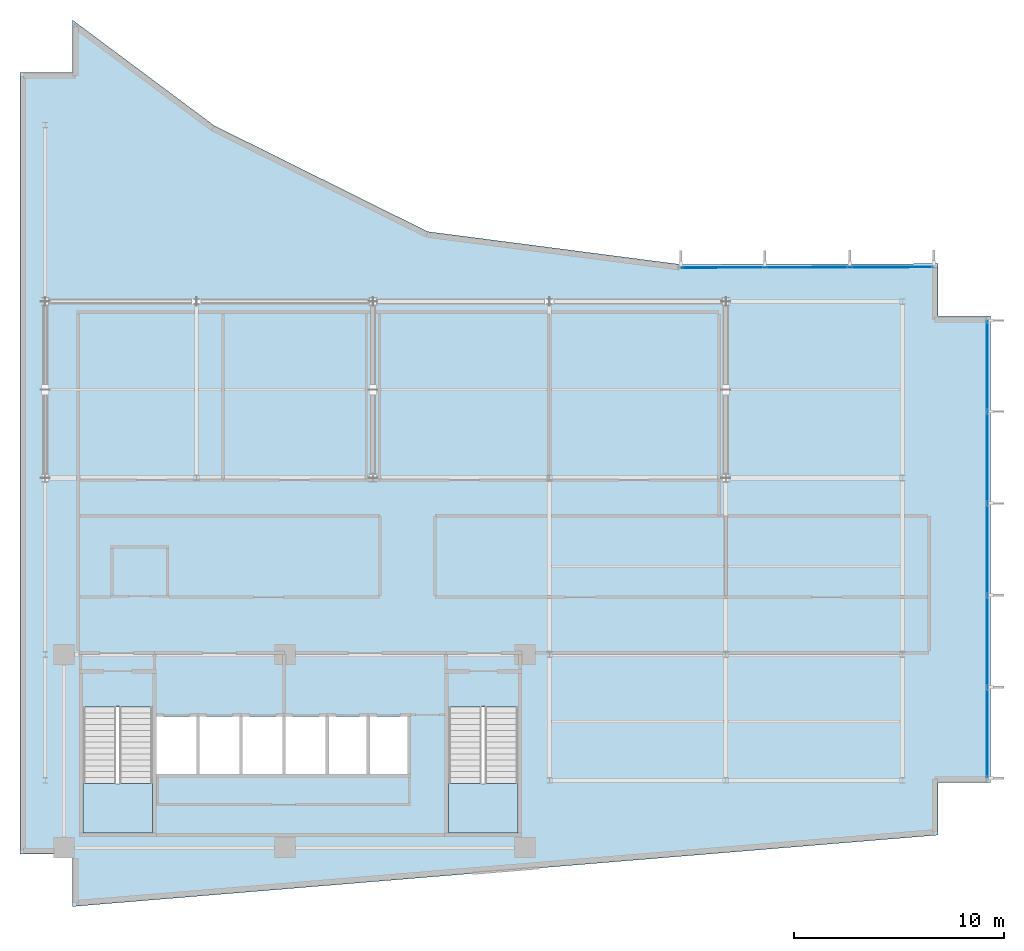
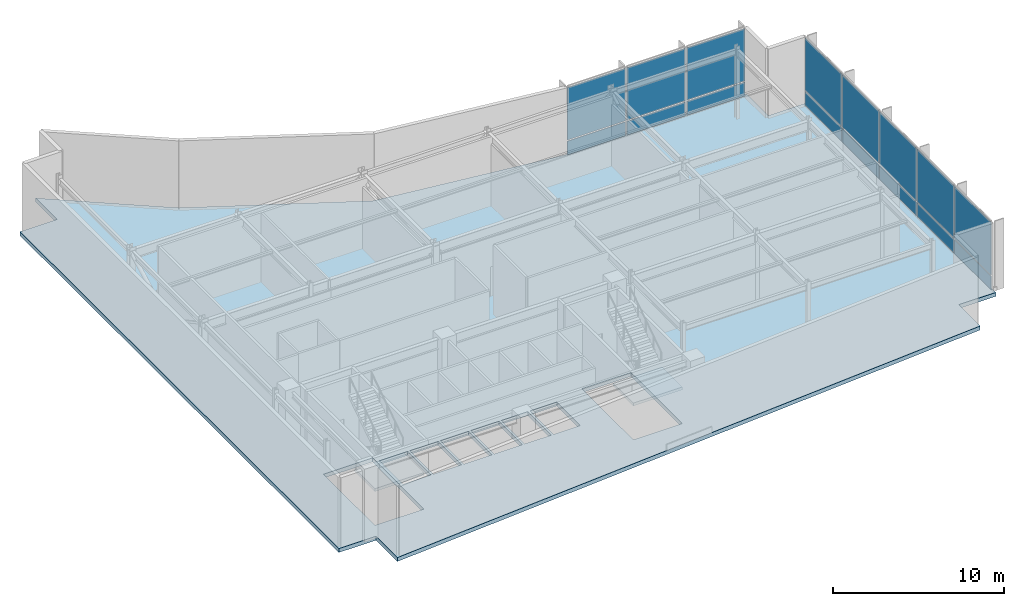
# One storey, part 8 of 15: 16 plates, 3 slabs, 4 elements without a shape of their own.
"""IFC4 building model written with IfcOpenShell, lengths in metres."""

from ifc_helpers import new_model, si_unit, direction, frame, origin, origin_2d, place, context, subcontext, project, spatial, polyline, rectangle, outline, extrude, material, layer, layer_set, type_object, element, aggregate, save


model = new_model("IFC4")

# Units and contexts
model_context = context("Model", 3, precision=1e-05, world=origin(), true_north=direction((0.0, 1.0)))
body_context = subcontext(model_context, "Body", "Model", "MODEL_VIEW")
ifc_project = project(units=[si_unit("LENGTHUNIT", "METRE"), si_unit("AREAUNIT", "SQUARE_METRE"), si_unit("VOLUMEUNIT", "CUBIC_METRE"), si_unit("PLANEANGLEUNIT", "RADIAN"), si_unit("MASSUNIT", "GRAM", prefix="KILO")], contexts=[model_context])

# Site, building, storey
site_placement = place(None, origin())
site = spatial("IfcSite", under=ifc_project, at=site_placement, CompositionType="ELEMENT")
building_placement = place(site_placement, origin())
building = spatial("IfcBuilding", under=site, at=building_placement, Name="Varnakote Quay Hospital", CompositionType="ELEMENT")
storey_placement = place(building_placement, frame((0.0, 0.0, 235.550048828125)))
storey = spatial("IfcBuildingStorey", under=building, at=storey_placement, Name="L58", CompositionType="ELEMENT", Elevation=235.550048828125)

# Curtain wall, plates
ifc_material_1 = material(Name="Anodised aluminium 6063-T6 Bronze", Category="aluminium")
ifc_layer_1 = layer(ifc_material_1, 0.25)
ifc_layer_set_1 = layer_set([ifc_layer_1], Name="Anodised aluminium 6063-T6 Bronze")
curtain_wall_type = type_object("IfcCurtainWallType", Name="CW-SYS-6", PredefinedType="NOTDEFINED", material=ifc_layer_set_1)
curtain_wall_1_placement = place(storey_placement, origin())
curtain_wall_1 = element("IfcCurtainWall", 1, at=curtain_wall_1_placement, inside=storey, type_object=curtain_wall_type, Name="L58 Unitised Bronze Curtain Wall 1", PredefinedType="NOTDEFINED")
ifc_material_2 = material(Name="Insulated bronze spandrel glass", Category="glass")
ifc_layer_2 = layer(ifc_material_2, 0.035888671875)
ifc_layer_set_2 = layer_set([ifc_layer_2], Name="Insulated bronze spandrel glass")
plate_type = type_object("IfcPlateType", Name="CW-PNL-SPN-36", PredefinedType="CURTAIN_PANEL", material=ifc_layer_set_2)
plate_1_placement = place(storey_placement, frame((46.0400390625, 8.269287109375, 0.0849609375), z_axis=(0.0, 0.0, 1.0), x_axis=(0.0, 1.0, 0.0)))
plate_1 = element("IfcPlate", 2, at=plate_1_placement, type_object=plate_type, Name="-6-L58-1 panel 1.1", PredefinedType="CURTAIN_PANEL", context=body_context, shape_type="SweptSolid", body=[
    extrude(rectangle(XDim=4.24853515625, YDim=0.035888671875, at=origin_2d()), origin(), (0.0, 0.0, 1.0), 0.972412109375),
])
plate_2_placement = place(storey_placement, frame((46.0400390625, 8.269287109375, 1.142578125), z_axis=(0.0, 0.0, 1.0), x_axis=(0.0, 1.0, 0.0)))
plate_2 = element("IfcPlate", 3, at=plate_2_placement, type_object=plate_type, Name="-6-L58-1 panel 1.2", PredefinedType="CURTAIN_PANEL", context=body_context, shape_type="SweptSolid", body=[
    extrude(rectangle(XDim=4.24853515625, YDim=0.035888671875, at=origin_2d()), origin(), (0.0, 0.0, 1.0), 3.732421875),
])
plate_3_placement = place(storey_placement, frame((46.0400390625, 12.6240234375, 0.0849609375), z_axis=(0.0, 0.0, 1.0), x_axis=(0.0, 1.0, 0.0)))
plate_3 = element("IfcPlate", 4, at=plate_3_placement, type_object=plate_type, Name="-6-L58-1 panel 2.1", PredefinedType="CURTAIN_PANEL", context=body_context, shape_type="SweptSolid", body=[
    extrude(rectangle(XDim=4.291015625, YDim=0.035888671875, at=origin_2d()), origin(), (0.0, 0.0, 1.0), 0.972412109375),
])
plate_4_placement = place(storey_placement, frame((46.0400390625, 12.6240234375, 1.142578125), z_axis=(0.0, 0.0, 1.0), x_axis=(0.0, 1.0, 0.0)))
plate_4 = element("IfcPlate", 5, at=plate_4_placement, type_object=plate_type, Name="-6-L58-1 panel 2.2", PredefinedType="CURTAIN_PANEL", context=body_context, shape_type="SweptSolid", body=[
    extrude(rectangle(XDim=4.291015625, YDim=0.035888671875, at=origin_2d()), origin(), (0.0, 0.0, 1.0), 3.732421875),
])
plate_5_placement = place(storey_placement, frame((46.0400390625, 17.0, 0.0849609375), z_axis=(0.0, 0.0, 1.0), x_axis=(0.0, 1.0, 0.0)))
plate_5 = element("IfcPlate", 6, at=plate_5_placement, type_object=plate_type, Name="-6-L58-1 panel 3.1", PredefinedType="CURTAIN_PANEL", context=body_context, shape_type="SweptSolid", body=[
    extrude(rectangle(XDim=4.291015625, YDim=0.035888671875, at=origin_2d()), origin(), (0.0, 0.0, 1.0), 0.972412109375),
])
plate_6_placement = place(storey_placement, frame((46.0400390625, 17.0, 1.142578125), z_axis=(0.0, 0.0, 1.0), x_axis=(0.0, 1.0, 0.0)))
plate_6 = element("IfcPlate", 7, at=plate_6_placement, type_object=plate_type, Name="-6-L58-1 panel 3.2", PredefinedType="CURTAIN_PANEL", context=body_context, shape_type="SweptSolid", body=[
    extrude(rectangle(XDim=4.291015625, YDim=0.035888671875, at=origin_2d()), origin(), (0.0, 0.0, 1.0), 3.732421875),
])
plate_7_placement = place(storey_placement, frame((46.0400390625, 21.3759765625, 0.0849609375), z_axis=(0.0, 0.0, 1.0), x_axis=(0.0, 1.0, 0.0)))
plate_7 = element("IfcPlate", 8, at=plate_7_placement, type_object=plate_type, Name="-6-L58-1 panel 4.1", PredefinedType="CURTAIN_PANEL", context=body_context, shape_type="SweptSolid", body=[
    extrude(rectangle(XDim=4.291015625, YDim=0.035888671875, at=origin_2d()), origin(), (0.0, 0.0, 1.0), 0.972412109375),
])
plate_8_placement = place(storey_placement, frame((46.0400390625, 21.3759765625, 1.142578125), z_axis=(0.0, 0.0, 1.0), x_axis=(0.0, 1.0, 0.0)))
plate_8 = element("IfcPlate", 9, at=plate_8_placement, type_object=plate_type, Name="-6-L58-1 panel 4.2", PredefinedType="CURTAIN_PANEL", context=body_context, shape_type="SweptSolid", body=[
    extrude(rectangle(XDim=4.291015625, YDim=0.035888671875, at=origin_2d()), origin(), (0.0, 0.0, 1.0), 3.732421875),
])
plate_9_placement = place(storey_placement, frame((46.0400390625, 25.730712890625, 0.0849609375), z_axis=(0.0, 0.0, 1.0), x_axis=(0.0, 1.0, 0.0)))
plate_9 = element("IfcPlate", 10, at=plate_9_placement, type_object=plate_type, Name="-6-L58-1 panel 5.1", PredefinedType="CURTAIN_PANEL", context=body_context, shape_type="SweptSolid", body=[
    extrude(rectangle(XDim=4.24853515625, YDim=0.035888671875, at=origin_2d()), origin(), (0.0, 0.0, 1.0), 0.972412109375),
])
plate_10_placement = place(storey_placement, frame((46.0400390625, 25.730712890625, 1.142578125), z_axis=(0.0, 0.0, 1.0), x_axis=(0.0, 1.0, 0.0)))
plate_10 = element("IfcPlate", 11, at=plate_10_placement, type_object=plate_type, Name="-6-L58-1 panel 5.2", PredefinedType="CURTAIN_PANEL", context=body_context, shape_type="SweptSolid", body=[
    extrude(rectangle(XDim=4.24853515625, YDim=0.035888671875, at=origin_2d()), origin(), (0.0, 0.0, 1.0), 3.732421875),
])
aggregate(curtain_wall_1, [plate_1, plate_2, plate_3, plate_4, plate_5, plate_6, plate_7, plate_8, plate_9, plate_10])

curtain_wall_2_placement = place(storey_placement, origin())
curtain_wall_2 = element("IfcCurtainWall", 12, at=curtain_wall_2_placement, inside=storey, type_object=curtain_wall_type, Name="L58 Unitised Bronze Curtain Wall 2", PredefinedType="NOTDEFINED")
plate_11_placement = place(storey_placement, frame((41.496337890625, 30.434326171875, 0.0849609375), z_axis=(0.0, 0.0, 1.0), x_axis=(-0.999996609008, -0.002604222224, 0.0)))
plate_11 = element("IfcPlate", 13, at=plate_11_placement, type_object=plate_type, Name="-6-L58-2 panel 1.1", PredefinedType="CURTAIN_PANEL", context=body_context, shape_type="SweptSolid", body=[
    extrude(rectangle(XDim=3.917236328125, YDim=0.035888671875, at=origin_2d()), origin(), (0.0, 0.0, 1.0), 0.972412109375),
])
plate_12_placement = place(storey_placement, frame((41.496337890625, 30.434326171875, 1.142578125), z_axis=(0.0, 0.0, 1.0), x_axis=(-0.999996609008, -0.002604222224, 0.0)))
plate_12 = element("IfcPlate", 14, at=plate_12_placement, type_object=plate_type, Name="-6-L58-2 panel 1.2", PredefinedType="CURTAIN_PANEL", context=body_context, shape_type="SweptSolid", body=[
    extrude(rectangle(XDim=3.917236328125, YDim=0.035888671875, at=origin_2d()), origin(), (0.0, 0.0, 1.0), 3.732421875),
])
plate_13_placement = place(storey_placement, frame((37.472900390625, 30.423828125, 0.0849609375), z_axis=(0.0, 0.0, 1.0), x_axis=(-0.999996609008, -0.002604222224, 0.0)))
plate_13 = element("IfcPlate", 15, at=plate_13_placement, type_object=plate_type, Name="-6-L58-2 panel 2.1", PredefinedType="CURTAIN_PANEL", context=body_context, shape_type="SweptSolid", body=[
    extrude(rectangle(XDim=3.959716796875, YDim=0.035888671875, at=origin_2d()), origin(), (0.0, 0.0, 1.0), 0.972412109375),
])
plate_14_placement = place(storey_placement, frame((37.472900390625, 30.423828125, 1.142578125), z_axis=(0.0, 0.0, 1.0), x_axis=(-0.999996609008, -0.002604222224, 0.0)))
plate_14 = element("IfcPlate", 16, at=plate_14_placement, type_object=plate_type, Name="-6-L58-2 panel 2.2", PredefinedType="CURTAIN_PANEL", context=body_context, shape_type="SweptSolid", body=[
    extrude(rectangle(XDim=3.959716796875, YDim=0.035888671875, at=origin_2d()), origin(), (0.0, 0.0, 1.0), 3.732421875),
])
plate_15_placement = place(storey_placement, frame((33.449462890625, 30.413330078125, 0.0849609375), z_axis=(0.0, 0.0, 1.0), x_axis=(-0.999996609008, -0.002604222224, 0.0)))
plate_15 = element("IfcPlate", 17, at=plate_15_placement, type_object=plate_type, Name="-6-L58-2 panel 3.1", PredefinedType="CURTAIN_PANEL", context=body_context, shape_type="SweptSolid", body=[
    extrude(rectangle(XDim=3.917236328125, YDim=0.035888671875, at=origin_2d()), origin(), (0.0, 0.0, 1.0), 0.972412109375),
])
plate_16_placement = place(storey_placement, frame((33.449462890625, 30.413330078125, 1.142578125), z_axis=(0.0, 0.0, 1.0), x_axis=(-0.999996609008, -0.002604222224, 0.0)))
plate_16 = element("IfcPlate", 18, at=plate_16_placement, type_object=plate_type, Name="-6-L58-2 panel 3.2", PredefinedType="CURTAIN_PANEL", context=body_context, shape_type="SweptSolid", body=[
    extrude(rectangle(XDim=3.917236328125, YDim=0.035888671875, at=origin_2d()), origin(), (0.0, 0.0, 1.0), 3.732421875),
])
aggregate(curtain_wall_2, [plate_11, plate_12, plate_13, plate_14, plate_15, plate_16])

# Slab
ifc_material_3 = material(Name="Concrete N50 (f'c 50 MPa)", Category="concrete")
ifc_layer_3 = layer(ifc_material_3, 0.280029296875)
ifc_layer_set_3 = layer_set([ifc_layer_3], Name="Concrete N50 (f'c 50 MPa)")
slab_type_1 = type_object("IfcSlabType", Name="SLB-PLANT-280", PredefinedType="FLOOR", material=ifc_layer_set_3)
slab_1_placement = place(storey_placement, frame((0.0, 0.0, -0.280029296875)))
element("IfcSlab", 19, at=slab_1_placement, inside=storey, type_object=slab_type_1, Name="L58 Primary Floor Slab", PredefinedType="FLOOR", context=body_context, shape_type="SweptSolid", body=[
    extrude(outline(polyline([(0.0, 2.5), (2.5, 2.5), (2.5, 0.0), (43.699951171875, 3.39990234375), (43.699951171875, 5.89990234375), (46.199951171875, 5.89990234375), (46.199951171875, 28.10009765625), (43.699951171875, 28.10009765625), (43.699951171875, 30.60009765625), (31.416015625, 30.568115234375), (19.404052734375, 32.1279296875), (9.239990234375, 37.176025390625), (2.5, 42.199951171875), (2.5, 39.699951171875), (0.0, 39.699951171875), (0.0, 2.5)]), holes=[polyline([(3.0, 3.5), (6.300048828125, 3.5), (6.300048828125, 9.49951171875), (3.0, 9.49951171875), (3.0, 3.5)]), polyline([(20.39990234375, 3.5), (23.699951171875, 3.5), (23.699951171875, 9.49951171875), (20.39990234375, 9.49951171875), (20.39990234375, 3.5)]), polyline([(6.5, 6.300048828125), (8.39990234375, 6.300048828125), (8.39990234375, 9.050048828125), (6.5, 9.050048828125), (6.5, 6.300048828125)]), polyline([(8.550048828125, 6.300048828125), (10.449951171875, 6.300048828125), (10.449951171875, 9.050048828125), (8.550048828125, 9.050048828125), (8.550048828125, 6.300048828125)]), polyline([(10.60009765625, 6.300048828125), (12.5, 6.300048828125), (12.5, 9.050048828125), (10.60009765625, 9.050048828125), (10.60009765625, 6.300048828125)]), polyline([(12.64990234375, 6.300048828125), (14.550048828125, 6.300048828125), (14.550048828125, 9.050048828125), (12.64990234375, 9.050048828125), (12.64990234375, 6.300048828125)]), polyline([(14.699951171875, 6.300048828125), (16.5, 6.300048828125), (16.5, 9.050048828125), (14.699951171875, 9.050048828125), (14.699951171875, 6.300048828125)]), polyline([(16.64990234375, 6.300048828125), (18.449951171875, 6.300048828125), (18.449951171875, 9.050048828125), (16.64990234375, 9.050048828125), (16.64990234375, 6.300048828125)])]), origin(), (0.0, 0.0, 1.0), 0.280029296875),
])

# Stair, slab
ifc_material_4 = material(Name="Concrete N40 (f'c 40 MPa)", Category="concrete")
stair_type = type_object("IfcStairType", Name="STR-CORE-1580", PredefinedType="HALF_TURN_STAIR", material=ifc_material_4)
stair_1_placement = place(storey_placement, origin())
stair_1 = element("IfcStair", 20, at=stair_1_placement, inside=storey, type_object=stair_type, Name="L58 Fire-Isolated Exit Stair ST-01", PredefinedType="HALF_TURN_STAIR")
ifc_material_5 = material(Name="Concrete N40 (f'c 40 MPa)", Category="concrete")
ifc_layer_4 = layer(ifc_material_5, 0.199951171875)
ifc_layer_set_4 = layer_set([ifc_layer_4], Name="Concrete N40 (f'c 40 MPa)")
slab_type_2 = type_object("IfcSlabType", Name="SLB-STAIR-LND-200", PredefinedType="LANDING", material=ifc_layer_set_4)
slab_2_placement = place(storey_placement, frame((0.0, 0.0, 2.39990234375)))
slab_2 = element("IfcSlab", 21, at=slab_2_placement, type_object=slab_type_2, Name="ST-01 landing 1", PredefinedType="LANDING", context=body_context, shape_type="SweptSolid", body=[
    extrude(outline(polyline([(3.0, 5.860107421875), (3.0, 3.5), (6.300048828125, 3.5), (6.300048828125, 5.860107421875), (3.0, 5.860107421875)])), origin(), (0.0, 0.0, 1.0), 0.199951171875),
])
aggregate(stair_1, [slab_2])

stair_2_placement = place(storey_placement, origin())
stair_2 = element("IfcStair", 22, at=stair_2_placement, inside=storey, type_object=stair_type, Name="L58 Fire-Isolated Exit Stair ST-02", PredefinedType="HALF_TURN_STAIR")
slab_3_placement = place(storey_placement, frame((0.0, 0.0, 2.39990234375)))
slab_3 = element("IfcSlab", 23, at=slab_3_placement, type_object=slab_type_2, Name="ST-02 landing 1", PredefinedType="LANDING", context=body_context, shape_type="SweptSolid", body=[
    extrude(outline(polyline([(20.39990234375, 5.860107421875), (20.39990234375, 3.5), (23.699951171875, 3.5), (23.699951171875, 5.860107421875), (20.39990234375, 5.860107421875)])), origin(), (0.0, 0.0, 1.0), 0.199951171875),
])
aggregate(stair_2, [slab_3])

save(model, "model.ifc")
